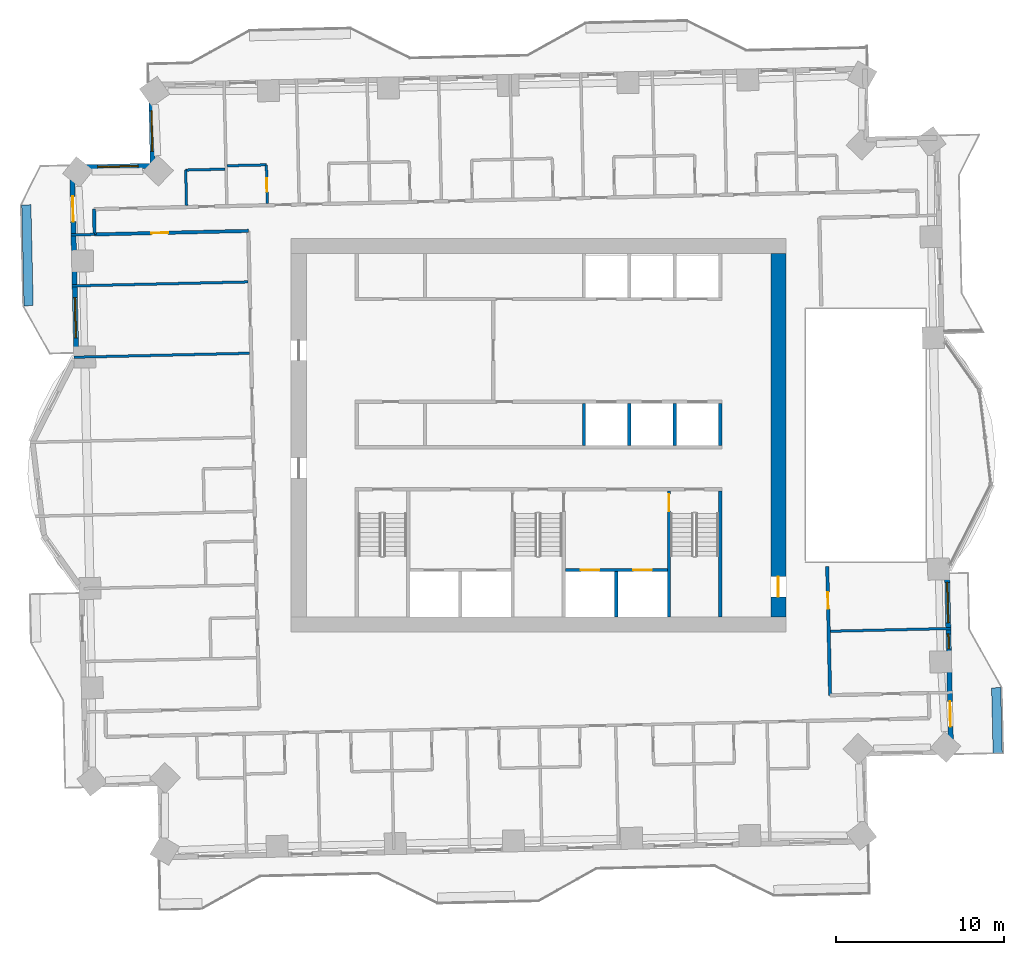
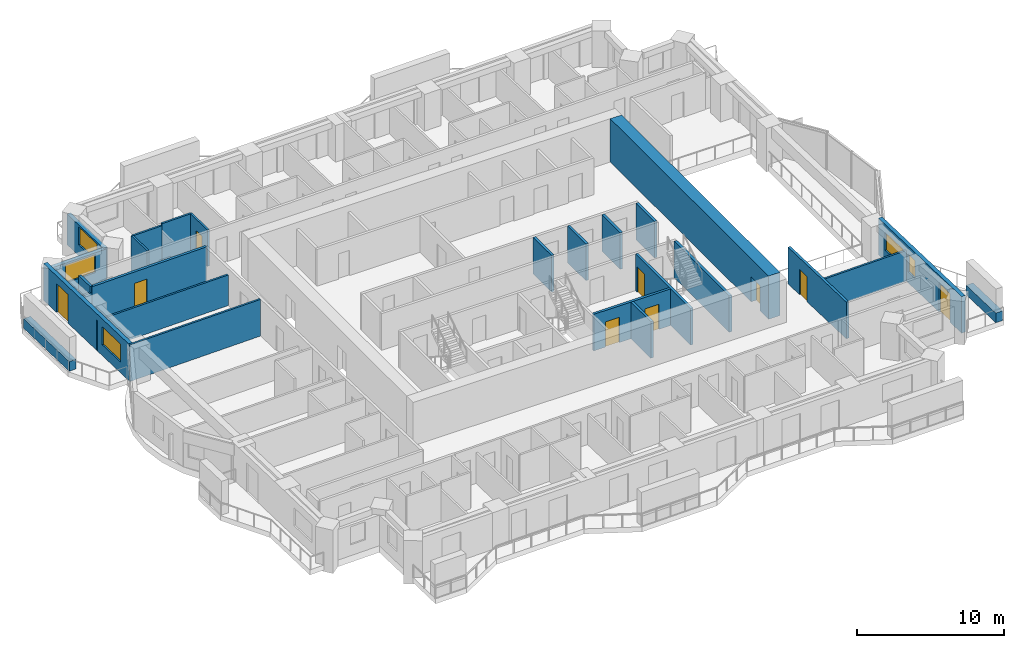
# One storey, part 9 of 16: 26 walls, 9 doors, 5 windows, 14 openings.
"""IFC4 building model written with IfcOpenShell, lengths in metres."""

from ifc_helpers import new_model, si_unit, direction, frame, frame_2d, origin, place, context, subcontext, project, spatial, rectangle, extrude, material, layer, layer_set, type_object, element, fill, save


model = new_model("IFC4")

# Units and contexts
model_context = context("Model", 3, precision=1e-05, world=origin(), true_north=direction((0.0, 1.0)))
body_context = subcontext(model_context, "Body", "Model", "MODEL_VIEW")
ifc_project = project(units=[si_unit("LENGTHUNIT", "METRE"), si_unit("AREAUNIT", "SQUARE_METRE"), si_unit("VOLUMEUNIT", "CUBIC_METRE"), si_unit("PLANEANGLEUNIT", "RADIAN"), si_unit("MASSUNIT", "GRAM", prefix="KILO")], contexts=[model_context])

# Site, building, storey
site_placement = place(None, origin())
site = spatial("IfcSite", under=ifc_project, at=site_placement, CompositionType="ELEMENT")
building_placement = place(site_placement, origin())
building = spatial("IfcBuilding", under=site, at=building_placement, Name="Mangrove Gate Tower", CompositionType="ELEMENT")
storey_placement = place(building_placement, frame((0.0, 0.0, 140.89990234375)))
storey = spatial("IfcBuildingStorey", under=building, at=storey_placement, Name="L35", CompositionType="ELEMENT", Elevation=140.89990234375)

# Wall, openings, doors
ifc_material_1 = material(Name="Concrete C70/85", Category="concrete")
ifc_layer_1 = layer(ifc_material_1, 0.199951171875)
ifc_layer_set_1 = layer_set([ifc_layer_1], Name="Core shaft wall 200 C70/85")
wall_type_1 = type_object("IfcWallType", Name="Core shaft wall 200 C70/85", PredefinedType="SHEAR", material=ifc_layer_set_1)
wall_1_placement = place(storey_placement, frame((1.60009765625, -8.0, 0.0), z_axis=(0.0, 0.0, 1.0), x_axis=(1.0, 0.0, 0.0)))
wall_1 = element("IfcWall", 1, at=wall_1_placement, inside=storey, type_object=wall_type_1, Name="WALL-L35-CORE-17", PredefinedType="SHEAR", context=body_context, shape_type="SweptSolid", body=[
    extrude(rectangle(XDim=6.0498046875, YDim=0.199951171875, at=frame_2d((3.02490234375, 0.0))), origin(), (0.0, 0.0, 1.0), 3.050048828125),
])
opening_1_placement = place(wall_1_placement, frame((0.91259765625, 0.0, 0.0)))
opening_1 = element("IfcOpeningElement", 2, at=opening_1_placement, cuts=wall_1, Name="Opening LD", PredefinedType="OPENING", context=body_context, shape_type="SweptSolid", body=[
    extrude(rectangle(XDim=1.10009765625, YDim=2.10009765625, at=frame_2d((0.550048828125, 1.050048828125))), frame((0.0, 0.10986328125, 0.0), z_axis=(0.0, -1.0, 0.0), x_axis=(1.0, 0.0, 0.0)), (0.0, 0.0, 1.0), 0.219970703125),
])
opening_2_placement = place(wall_1_placement, frame((4.03759765625, 0.0, 0.0)))
opening_2 = element("IfcOpeningElement", 3, at=opening_2_placement, cuts=wall_1, Name="Opening LD", PredefinedType="OPENING", context=body_context, shape_type="SweptSolid", body=[
    extrude(rectangle(XDim=1.10009765625, YDim=2.10009765625, at=frame_2d((0.550048828125, 1.050048828125))), frame((0.0, 0.10986328125, 0.0), z_axis=(0.0, -1.0, 0.0), x_axis=(1.0, 0.0, 0.0)), (0.0, 0.0, 1.0), 0.219970703125),
])
ifc_material_2 = material(Name="Stainless steel 316", Category="steel")
door_type_1 = type_object("IfcDoorType", Name="Lift landing door 1100x2100", OperationType="SLIDING_TO_LEFT", PredefinedType="DOOR", material=ifc_material_2)
door_1_placement = place(opening_1_placement, origin())
door_1 = element("IfcDoor", 4, at=door_1_placement, inside=storey, type_object=door_type_1, Name="Landing door LD FFL1", OperationType="SLIDING_TO_LEFT", OverallHeight=2.10009765625, OverallWidth=1.10009765625, PredefinedType="DOOR", context=body_context, shape_type="SweptSolid", body=[
    extrude(rectangle(XDim=1.10009765625, YDim=2.10009765625, at=frame_2d((0.550048828125, 1.050048828125))), frame((0.0, 0.02490234375, 0.0), z_axis=(0.0, -1.0, 0.0), x_axis=(1.0, 0.0, 0.0)), (0.0, 0.0, 1.0), 0.050048828125),
])
fill(opening_1, door_1)
door_2_placement = place(opening_2_placement, origin())
door_2 = element("IfcDoor", 5, at=door_2_placement, inside=storey, type_object=door_type_1, Name="Landing door LD FFL2", OperationType="SLIDING_TO_LEFT", OverallHeight=2.10009765625, OverallWidth=1.10009765625, PredefinedType="DOOR", context=body_context, shape_type="SweptSolid", body=[
    extrude(rectangle(XDim=1.10009765625, YDim=2.10009765625, at=frame_2d((0.550048828125, 1.050048828125))), frame((0.0, 0.02490234375, 0.0), z_axis=(0.0, -1.0, 0.0), x_axis=(1.0, 0.0, 0.0)), (0.0, 0.0, 1.0), 0.050048828125),
])
fill(opening_2, door_2)

# Walls
wall_2_placement = place(storey_placement, frame((4.625, -10.800048828125, 0.0), z_axis=(0.0, 0.0, 1.0), x_axis=(0.0, 1.0, 0.0)))
element("IfcWall", 6, at=wall_2_placement, inside=storey, type_object=wall_type_1, Name="WALL-L35-CORE-18", PredefinedType="SHEAR", context=body_context, shape_type="SweptSolid", body=[
    extrude(rectangle(XDim=2.699951171875, YDim=0.199951171875, at=frame_2d((1.35009765625, 0.0))), origin(), (0.0, 0.0, 1.0), 3.050048828125),
])
for number, where, z_axis, x_axis, name in (
    (7, (2.699951171875, -0.60009765625, 0.0), (0.0, 0.0, 1.0), (0.0, 1.0, 0.0), "WALL-L35-CORE-21"),
    (8, (5.39990234375, -0.60009765625, 0.0), (0.0, 0.0, 1.0), (0.0, 1.0, 0.0), "WALL-L35-CORE-22"),
    (9, (8.10009765625, -0.60009765625, 0.0), (0.0, 0.0, 1.0), (0.0, 1.0, 0.0), "WALL-L35-CORE-23"),
    (10, (10.800048828125, -0.60009765625, 0.0), (0.0, 0.0, 1.0), (0.0, 1.0, 0.0), "WALL-L35-CORE-24"),
):
    element("IfcWall", number, at=place(storey_placement, frame(where, z_axis=z_axis, x_axis=x_axis)), inside=storey, type_object=wall_type_1, Name=name, PredefinedType="SHEAR", context=body_context, shape_type="SweptSolid", body=[
        extrude(rectangle(XDim=2.5, YDim=0.199951171875, at=frame_2d((1.25, 0.0))), origin(), (0.0, 0.0, 1.0), 3.050048828125),
    ])

# Wall, opening, door
ifc_material_3 = material(Name="Concrete C70/85", Category="concrete")
ifc_layer_2 = layer(ifc_material_3, 0.199951171875)
ifc_layer_set_2 = layer_set([ifc_layer_2], Name="Core stair wall 200 C70/85")
wall_type_2 = type_object("IfcWallType", Name="Core stair wall 200 C70/85", PredefinedType="SHEAR", material=ifc_layer_set_2)
wall_3_placement = place(storey_placement, frame((7.75, -10.800048828125, 0.0), z_axis=(0.0, 0.0, 1.0), x_axis=(0.0, 1.0, 0.0)))
wall_3 = element("IfcWall", 11, at=wall_3_placement, inside=storey, type_object=wall_type_2, Name="WALL-L35-CORE-13", PredefinedType="SHEAR", context=body_context, shape_type="SweptSolid", body=[
    extrude(rectangle(XDim=7.5, YDim=0.199951171875, at=frame_2d((3.75, 0.0))), origin(), (0.0, 0.0, 1.0), 3.050048828125),
])
opening_3_placement = place(wall_3_placement, frame((6.300048828125, 0.0, 0.0)))
opening_3 = element("IfcOpeningElement", 12, at=opening_3_placement, cuts=wall_3, Name="Opening STD10", PredefinedType="OPENING", context=body_context, shape_type="SweptSolid", body=[
    extrude(rectangle(XDim=1.0, YDim=2.10009765625, at=frame_2d((0.5, 1.050048828125))), frame((0.0, 0.10986328125, 0.0), z_axis=(0.0, -1.0, 0.0), x_axis=(1.0, 0.0, 0.0)), (0.0, 0.0, 1.0), 0.219970703125),
])
ifc_material_4 = material(Name="Fire-rated steel door set", Category="steel")
door_type_2 = type_object("IfcDoorType", Name="Stair door FD60 1000x2100", OperationType="SINGLE_SWING_RIGHT", PredefinedType="DOOR", material=ifc_material_4)
door_3_placement = place(opening_3_placement, origin())
door_3 = element("IfcDoor", 13, at=door_3_placement, inside=storey, type_object=door_type_2, Name="Stair door Stair 3 from fire-fighting lobby", OperationType="SINGLE_SWING_RIGHT", OverallHeight=2.10009765625, OverallWidth=1.0, PredefinedType="DOOR", context=body_context, shape_type="SweptSolid", body=[
    extrude(rectangle(XDim=1.0, YDim=2.10009765625, at=frame_2d((0.5, 1.050048828125))), frame((0.0, 0.02490234375, 0.0), z_axis=(0.0, -1.0, 0.0), x_axis=(1.0, 0.0, 0.0)), (0.0, 0.0, 1.0), 0.050048828125),
])
fill(opening_3, door_3)

# Wall
wall_4_placement = place(storey_placement, frame((10.800048828125, -10.800048828125, 0.0), z_axis=(0.0, 0.0, 1.0), x_axis=(0.0, 1.0, 0.0)))
element("IfcWall", 14, at=wall_4_placement, inside=storey, type_object=wall_type_2, Name="WALL-L35-CORE-14", PredefinedType="SHEAR", context=body_context, shape_type="SweptSolid", body=[
    extrude(rectangle(XDim=7.5, YDim=0.199951171875, at=frame_2d((3.75, 0.0))), origin(), (0.0, 0.0, 1.0), 3.050048828125),
])

# Wall, opening, door
ifc_material_5 = material(Name="Concrete C70/85", Category="concrete")
ifc_layer_3 = layer(ifc_material_5, 0.89990234375)
ifc_layer_set_3 = layer_set([ifc_layer_3], Name="Core wall 900 C70/85")
wall_type_3 = type_object("IfcWallType", Name="Core wall 900 C70/85", PredefinedType="SHEAR", material=ifc_layer_set_3)
wall_5_placement = place(storey_placement, frame((14.25, -10.800048828125, 0.0), z_axis=(0.0, 0.0, 1.0), x_axis=(0.0, 1.0, 0.0)))
wall_5 = element("IfcWall", 15, at=wall_5_placement, inside=storey, type_object=wall_type_3, Name="WALL-L35-CORE-4", PredefinedType="SHEAR", context=body_context, shape_type="SweptSolid", body=[
    extrude(rectangle(XDim=21.60009765625, YDim=0.89990234375, at=frame_2d((10.800048828125, 0.0))), origin(), (0.0, 0.0, 1.0), 3.60009765625),
])
opening_4_placement = place(wall_5_placement, frame((1.199951171875, 0.0, 0.0)))
opening_4 = element("IfcOpeningElement", 16, at=opening_4_placement, cuts=wall_5, Name="Opening CD", PredefinedType="OPENING", context=body_context, shape_type="SweptSolid", body=[
    extrude(rectangle(XDim=1.199951171875, YDim=2.10009765625, at=frame_2d((0.60009765625, 1.050048828125))), frame((0.0, 0.4599609375, 0.0), z_axis=(0.0, -1.0, 0.0), x_axis=(1.0, 0.0, 0.0)), (0.0, 0.0, 1.0), 0.919921875),
])
ifc_material_6 = material(Name="Fire-rated steel door set", Category="steel")
door_type_3 = type_object("IfcDoorType", Name="Core ring door FD60 1200x2100", OperationType="DOUBLE_DOOR_SINGLE_SWING", PredefinedType="DOOR", material=ifc_material_6)
door_4_placement = place(opening_4_placement, origin())
door_4 = element("IfcDoor", 17, at=door_4_placement, inside=storey, type_object=door_type_3, Name="Core ring door E1", OperationType="DOUBLE_DOOR_SINGLE_SWING", OverallHeight=2.10009765625, OverallWidth=1.199951171875, PredefinedType="DOOR", context=body_context, shape_type="SweptSolid", body=[
    extrude(rectangle(XDim=1.199951171875, YDim=2.10009765625, at=frame_2d((0.60009765625, 1.050048828125))), frame((0.0, 0.02490234375, 0.0), z_axis=(0.0, -1.0, 0.0), x_axis=(1.0, 0.0, 0.0)), (0.0, 0.0, 1.0), 0.050048828125),
])
fill(opening_4, door_4)

ifc_material_7 = material(Name="Gypsum board on steel stud, EI 60", Category="steel")
ifc_layer_4 = layer(ifc_material_7, 0.199951171875)
ifc_layer_set_4 = layer_set([ifc_layer_4], Name="Corridor wall EI 60")
wall_type_4 = type_object("IfcWallType", Name="Corridor wall EI 60", PredefinedType="PARTITIONING", material=ifc_layer_set_4)
wall_6_placement = place(storey_placement, frame((17.327880859375, -15.447998046875, 0.0), z_axis=(0.0, 0.0, 1.0), x_axis=(-0.022680883318, 0.999742755679, 0.0)))
wall_6 = element("IfcWall", 18, at=wall_6_placement, inside=storey, type_object=wall_type_4, Name="WALL-L35-030", PredefinedType="PARTITIONING", context=body_context, shape_type="SweptSolid", body=[
    extrude(rectangle(XDim=7.6640625, YDim=0.199951171875, at=frame_2d((3.83203125, 0.0))), origin(), (0.0, 0.0, 1.0), 3.050048828125),
])
opening_5_placement = place(wall_6_placement, frame((5.1298828125, 0.0, 0.0)))
opening_5 = element("IfcOpeningElement", 19, at=opening_5_placement, cuts=wall_6, Name="Opening AD", PredefinedType="OPENING", context=body_context, shape_type="SweptSolid", body=[
    extrude(rectangle(XDim=1.0, YDim=2.10009765625, at=frame_2d((0.5, 1.050048828125))), frame((0.0, 0.10986328125, 0.0), z_axis=(0.0, -1.0, 0.0), x_axis=(1.0, 0.0, 0.0)), (0.0, 0.0, 1.0), 0.219970703125),
])
ifc_material_8 = material(Name="Timber door leaf", Category="wood")
door_type_4 = type_object("IfcDoorType", Name="Amenity door 1000", OperationType="SINGLE_SWING_LEFT", PredefinedType="DOOR", material=ifc_material_8)
door_5_placement = place(opening_5_placement, origin())
door_5 = element("IfcDoor", 20, at=door_5_placement, inside=storey, type_object=door_type_4, Name="DOOR-L35-KIT-c3b", OperationType="SINGLE_SWING_RIGHT", OverallHeight=2.10009765625, OverallWidth=1.0, PredefinedType="DOOR", context=body_context, shape_type="SweptSolid", body=[
    extrude(rectangle(XDim=1.0, YDim=2.10009765625, at=frame_2d((0.5, 1.050048828125))), frame((0.0, 0.02490234375, 0.0), z_axis=(0.0, -1.0, 0.0), x_axis=(1.0, 0.0, 0.0)), (0.0, 0.0, 1.0), 0.050048828125),
])
fill(opening_5, door_5)

wall_7_placement = place(storey_placement, frame((-26.386962890625, 11.94091796875, 0.0), z_axis=(0.0, 0.0, 1.0), x_axis=(0.999741076645, 0.022754772455, 0.0)))
wall_7 = element("IfcWall", 21, at=wall_7_placement, inside=storey, type_object=wall_type_4, Name="WALL-L35-050", PredefinedType="PARTITIONING", context=body_context, shape_type="SweptSolid", body=[
    extrude(rectangle(XDim=9.141357421875, YDim=0.199951171875, at=frame_2d((4.57080078125, 0.0))), origin(), (0.0, 0.0, 1.0), 3.050048828125),
])
opening_6_placement = place(wall_7_placement, frame((3.37109375, 0.0, 0.0)))
opening_6 = element("IfcOpeningElement", 22, at=opening_6_placement, cuts=wall_7, Name="Opening AD", PredefinedType="OPENING", context=body_context, shape_type="SweptSolid", body=[
    extrude(rectangle(XDim=1.0, YDim=2.10009765625, at=frame_2d((0.5, 1.050048828125))), frame((0.0, 0.10986328125, 0.0), z_axis=(0.0, -1.0, 0.0), x_axis=(1.0, 0.0, 0.0)), (0.0, 0.0, 1.0), 0.219970703125),
])
door_6_placement = place(opening_6_placement, origin())
door_6 = element("IfcDoor", 23, at=door_6_placement, inside=storey, type_object=door_type_4, Name="DOOR-L35-STU-c5a", OperationType="SINGLE_SWING_RIGHT", OverallHeight=2.10009765625, OverallWidth=1.0, PredefinedType="DOOR", context=body_context, shape_type="SweptSolid", body=[
    extrude(rectangle(XDim=1.0, YDim=2.10009765625, at=frame_2d((0.5, 1.050048828125))), frame((0.0, 0.02490234375, 0.0), z_axis=(0.0, -1.0, 0.0), x_axis=(1.0, 0.0, 0.0)), (0.0, 0.0, 1.0), 0.050048828125),
])
fill(opening_6, door_6)

# Wall
wall_8_placement = place(storey_placement, frame((-26.385009765625, 11.94091796875, 0.0), z_axis=(0.0, 0.0, 1.0), x_axis=(-0.022617910375, 0.999744182344, 0.0)))
element("IfcWall", 24, at=wall_8_placement, inside=storey, type_object=wall_type_4, Name="WALL-L35-051", PredefinedType="PARTITIONING", context=body_context, shape_type="SweptSolid", body=[
    extrude(rectangle(XDim=1.50048828125, YDim=0.199951171875, at=frame_2d((0.750244140625, 0.0))), origin(), (0.0, 0.0, 1.0), 3.050048828125),
])

# Wall, openings, door, windows
ifc_material_9 = material(Name="Limestone", Category="masonry")
ifc_layer_5 = layer(ifc_material_9, 0.0400390625, Name="Limestone cladding")
ifc_material_10 = material(Name="Ventilated air gap")
ifc_layer_6 = layer(ifc_material_10, 0.0400390625, Name="Ventilated cavity")
ifc_material_11 = material(Name="Mineral wool insulation")
ifc_layer_7 = layer(ifc_material_11, 0.06005859375, Name="Insulation")
ifc_material_12 = material(Name="Breather membrane")
ifc_layer_8 = layer(ifc_material_12, 0.001953125, Name="Breather membrane")
ifc_material_13 = material(Name="Concrete C20/25 blockwork", Category="masonry")
ifc_layer_9 = layer(ifc_material_13, 0.14990234375, Name="Blockwork backing wall")
ifc_material_14 = material(Name="Gypsum plaster")
ifc_layer_10 = layer(ifc_material_14, 0.008056640625, Name="Internal plaster")
ifc_layer_set_5 = layer_set([ifc_layer_5, ifc_layer_6, ifc_layer_7, ifc_layer_8, ifc_layer_9, ifc_layer_10], Name="External wall 300 limestone cladding")
wall_type_5 = type_object("IfcWallType", Name="External wall 300 limestone cladding", PredefinedType="SOLIDWALL", material=ifc_layer_set_5)
wall_9_placement = place(storey_placement, frame((24.51806640625, -18.81201171875, 0.0), z_axis=(0.0, 0.0, 1.0), x_axis=(-0.02269451316, 0.999742446369, 0.0)))
wall_9 = element("IfcWall", 25, at=wall_9_placement, inside=storey, type_object=wall_type_5, Name="WALL-L35-E0", PredefinedType="SOLIDWALL", context=body_context, shape_type="SweptSolid", body=[
    extrude(rectangle(XDim=10.929931640625, YDim=0.300048828125, at=frame_2d((5.46484375, 0.0))), origin(), (0.0, 0.0, 1.0), 3.050048828125),
])
opening_7_placement = place(wall_9_placement, frame((1.49609375, 0.0, 0.0)))
opening_7 = element("IfcOpeningElement", 26, at=opening_7_placement, cuts=wall_9, Name="Opening BD1", PredefinedType="OPENING", context=body_context, shape_type="SweptSolid", body=[
    extrude(rectangle(XDim=1.5, YDim=2.39990234375, at=frame_2d((0.75, 1.199951171875))), frame((0.0, 0.159912109375, 0.0), z_axis=(0.0, -1.0, 0.0), x_axis=(1.0, 0.0, 0.0)), (0.0, 0.0, 1.0), 0.320068359375),
])
opening_8_placement = place(wall_9_placement, frame((6.118896484375, 0.0, 0.89990234375)))
opening_8 = element("IfcOpeningElement", 27, at=opening_8_placement, cuts=wall_9, Name="Opening W5", PredefinedType="OPENING", context=body_context, shape_type="SweptSolid", body=[
    extrude(rectangle(XDim=0.89990234375, YDim=1.5, at=frame_2d((0.449951171875, 0.75))), frame((0.0, 0.159912109375, 0.0), z_axis=(0.0, -1.0, 0.0), x_axis=(1.0, 0.0, 0.0)), (0.0, 0.0, 1.0), 0.320068359375),
])
opening_9_placement = place(wall_9_placement, frame((7.675048828125, 0.0, 0.89990234375)))
opening_9 = element("IfcOpeningElement", 28, at=opening_9_placement, cuts=wall_9, Name="Opening W2", PredefinedType="OPENING", context=body_context, shape_type="SweptSolid", body=[
    extrude(rectangle(XDim=2.39990234375, YDim=1.5, at=frame_2d((1.199951171875, 0.75))), frame((0.0, 0.159912109375, 0.0), z_axis=(0.0, -1.0, 0.0), x_axis=(1.0, 0.0, 0.0)), (0.0, 0.0, 1.0), 0.320068359375),
])
ifc_material_15 = material(Name="Aluminium frame with laminated clear glass", Category="aluminium")
door_type_5 = type_object("IfcDoorType", Name="Balcony sliding door 1500x2400", OperationType="SLIDING_TO_LEFT", PredefinedType="DOOR", material=ifc_material_15)
door_7_placement = place(opening_7_placement, origin())
door_7 = element("IfcDoor", 29, at=door_7_placement, inside=storey, type_object=door_type_5, Name="DOOR-L35-E0-1", OperationType="SLIDING_TO_LEFT", OverallHeight=2.39990234375, OverallWidth=1.5, PredefinedType="DOOR", context=body_context, shape_type="SweptSolid", body=[
    extrude(rectangle(XDim=1.5, YDim=2.39990234375, at=frame_2d((0.75, 1.199951171875))), frame((0.0, 0.02490234375, 0.0), z_axis=(0.0, -1.0, 0.0), x_axis=(1.0, 0.0, 0.0)), (0.0, 0.0, 1.0), 0.050048828125),
])
fill(opening_7, door_7)
ifc_material_16 = material(Name="Aluminium frame with double-glazed low-e glass", Category="aluminium")
window_type_1 = type_object("IfcWindowType", Name="Corner room window 2400x1500", PartitioningType="DOUBLE_PANEL_VERTICAL", PredefinedType="WINDOW", material=ifc_material_16)
window_1_placement = place(opening_9_placement, origin())
window_1 = element("IfcWindow", 30, at=window_1_placement, inside=storey, type_object=window_type_1, Name="WIN-L35-E0-3", OverallHeight=1.5, OverallWidth=2.39990234375, PartitioningType="DOUBLE_PANEL_VERTICAL", PredefinedType="WINDOW", context=body_context, shape_type="SweptSolid", body=[
    extrude(rectangle(XDim=2.39990234375, YDim=1.5, at=frame_2d((1.199951171875, 0.75))), frame((0.0, 0.030029296875, 0.0), z_axis=(0.0, -1.0, 0.0), x_axis=(1.0, 0.0, 0.0)), (0.0, 0.0, 1.0), 0.06005859375),
])
fill(opening_9, window_1)
ifc_material_17 = material(Name="Aluminium frame with double-glazed low-e glass", Category="aluminium")
window_type_2 = type_object("IfcWindowType", Name="Narrow window 900x1500", PartitioningType="SINGLE_PANEL", PredefinedType="WINDOW", material=ifc_material_17)
window_2_placement = place(opening_8_placement, origin())
window_2 = element("IfcWindow", 31, at=window_2_placement, inside=storey, type_object=window_type_2, Name="WIN-L35-E0-2", OverallHeight=1.5, OverallWidth=0.89990234375, PartitioningType="SINGLE_PANEL", PredefinedType="WINDOW", context=body_context, shape_type="SweptSolid", body=[
    extrude(rectangle(XDim=0.89990234375, YDim=1.5, at=frame_2d((0.449951171875, 0.75))), frame((0.0, 0.030029296875, 0.0), z_axis=(0.0, -1.0, 0.0), x_axis=(1.0, 0.0, 0.0)), (0.0, 0.0, 1.0), 0.06005859375),
])
fill(opening_8, window_2)

# Wall, opening, window
wall_10_placement = place(storey_placement, frame((-23.037109375, 20.819091796875, 0.0), z_axis=(0.0, 0.0, 1.0), x_axis=(0.022738738327, -0.999741441463, 0.0)))
wall_10 = element("IfcWall", 32, at=wall_10_placement, inside=storey, type_object=wall_type_5, Name="WALL-L35-W6", PredefinedType="SOLIDWALL", context=body_context, shape_type="SweptSolid", body=[
    extrude(rectangle(XDim=4.79931640625, YDim=0.300048828125, at=frame_2d((2.399658203125, 0.0))), origin(), (0.0, 0.0, 1.0), 2.550048828125),
])
opening_10_placement = place(wall_10_placement, frame((1.541015625, 0.0, 0.89990234375)))
opening_10 = element("IfcOpeningElement", 33, at=opening_10_placement, cuts=wall_10, Name="Opening W2", PredefinedType="OPENING", context=body_context, shape_type="SweptSolid", body=[
    extrude(rectangle(XDim=2.39990234375, YDim=1.5, at=frame_2d((1.199951171875, 0.75))), frame((0.0, 0.159912109375, 0.0), z_axis=(0.0, -1.0, 0.0), x_axis=(1.0, 0.0, 0.0)), (0.0, 0.0, 1.0), 0.320068359375),
])
window_3_placement = place(opening_10_placement, origin())
window_3 = element("IfcWindow", 34, at=window_3_placement, inside=storey, type_object=window_type_1, Name="WIN-L35-W6-1", OverallHeight=1.5, OverallWidth=2.39990234375, PartitioningType="DOUBLE_PANEL_VERTICAL", PredefinedType="WINDOW", context=body_context, shape_type="SweptSolid", body=[
    extrude(rectangle(XDim=2.39990234375, YDim=1.5, at=frame_2d((1.199951171875, 0.75))), frame((0.0, 0.030029296875, 0.0), z_axis=(0.0, -1.0, 0.0), x_axis=(1.0, 0.0, 0.0)), (0.0, 0.0, 1.0), 0.06005859375),
])
fill(opening_10, window_3)

wall_11_placement = place(storey_placement, frame((-22.927978515625, 16.02099609375, 0.0), z_axis=(0.0, 0.0, 1.0), x_axis=(-0.999742701292, -0.022683280499, 0.0)))
wall_11 = element("IfcWall", 35, at=wall_11_placement, inside=storey, type_object=wall_type_5, Name="WALL-L35-N7", PredefinedType="SOLIDWALL", context=body_context, shape_type="SweptSolid", body=[
    extrude(rectangle(XDim=4.80029296875, YDim=0.300048828125, at=frame_2d((2.400146484375, 0.0))), origin(), (0.0, 0.0, 1.0), 2.550048828125),
])
opening_11_placement = place(wall_11_placement, frame((0.873046875, 0.0, 0.89990234375)))
opening_11 = element("IfcOpeningElement", 36, at=opening_11_placement, cuts=wall_11, Name="Opening W2", PredefinedType="OPENING", context=body_context, shape_type="SweptSolid", body=[
    extrude(rectangle(XDim=2.39990234375, YDim=1.5, at=frame_2d((1.199951171875, 0.75))), frame((0.0, 0.159912109375, 0.0), z_axis=(0.0, -1.0, 0.0), x_axis=(1.0, 0.0, 0.0)), (0.0, 0.0, 1.0), 0.320068359375),
])
window_4_placement = place(opening_11_placement, origin())
window_4 = element("IfcWindow", 37, at=window_4_placement, inside=storey, type_object=window_type_1, Name="WIN-L35-N7-1", OverallHeight=1.5, OverallWidth=2.39990234375, PartitioningType="DOUBLE_PANEL_VERTICAL", PredefinedType="WINDOW", context=body_context, shape_type="SweptSolid", body=[
    extrude(rectangle(XDim=2.39990234375, YDim=1.5, at=frame_2d((1.199951171875, 0.75))), frame((0.0, 0.030029296875, 0.0), z_axis=(0.0, -1.0, 0.0), x_axis=(1.0, 0.0, 0.0)), (0.0, 0.0, 1.0), 0.06005859375),
])
fill(opening_11, window_4)

# Wall, openings, door, window
wall_12_placement = place(storey_placement, frame((-27.72705078125, 15.912109375, 0.0), z_axis=(0.0, 0.0, 1.0), x_axis=(0.022690078929, -0.999742547018, 0.0)))
wall_12 = element("IfcWall", 38, at=wall_12_placement, inside=storey, type_object=wall_type_5, Name="WALL-L35-W8", PredefinedType="SOLIDWALL", context=body_context, shape_type="SweptSolid", body=[
    extrude(rectangle(XDim=11.330078125, YDim=0.300048828125, at=frame_2d((5.6650390625, 0.0))), origin(), (0.0, 0.0, 1.0), 3.050048828125),
])
opening_12_placement = place(wall_12_placement, frame((1.717041015625, 0.0, 0.0)))
opening_12 = element("IfcOpeningElement", 39, at=opening_12_placement, cuts=wall_12, Name="Opening BD1", PredefinedType="OPENING", context=body_context, shape_type="SweptSolid", body=[
    extrude(rectangle(XDim=1.5, YDim=2.39990234375, at=frame_2d((0.75, 1.199951171875))), frame((0.0, 0.159912109375, 0.0), z_axis=(0.0, -1.0, 0.0), x_axis=(1.0, 0.0, 0.0)), (0.0, 0.0, 1.0), 0.320068359375),
])
opening_13_placement = place(wall_12_placement, frame((7.72509765625, 0.0, 0.89990234375)))
opening_13 = element("IfcOpeningElement", 40, at=opening_13_placement, cuts=wall_12, Name="Opening W2", PredefinedType="OPENING", context=body_context, shape_type="SweptSolid", body=[
    extrude(rectangle(XDim=2.39990234375, YDim=1.5, at=frame_2d((1.199951171875, 0.75))), frame((0.0, 0.159912109375, 0.0), z_axis=(0.0, -1.0, 0.0), x_axis=(1.0, 0.0, 0.0)), (0.0, 0.0, 1.0), 0.320068359375),
])
door_8_placement = place(opening_12_placement, origin())
door_8 = element("IfcDoor", 41, at=door_8_placement, inside=storey, type_object=door_type_5, Name="DOOR-L35-W8-1", OperationType="SLIDING_TO_LEFT", OverallHeight=2.39990234375, OverallWidth=1.5, PredefinedType="DOOR", context=body_context, shape_type="SweptSolid", body=[
    extrude(rectangle(XDim=1.5, YDim=2.39990234375, at=frame_2d((0.75, 1.199951171875))), frame((0.0, 0.02490234375, 0.0), z_axis=(0.0, -1.0, 0.0), x_axis=(1.0, 0.0, 0.0)), (0.0, 0.0, 1.0), 0.050048828125),
])
fill(opening_12, door_8)
window_5_placement = place(opening_13_placement, origin())
window_5 = element("IfcWindow", 42, at=window_5_placement, inside=storey, type_object=window_type_1, Name="WIN-L35-W8-2", OverallHeight=1.5, OverallWidth=2.39990234375, PartitioningType="DOUBLE_PANEL_VERTICAL", PredefinedType="WINDOW", context=body_context, shape_type="SweptSolid", body=[
    extrude(rectangle(XDim=2.39990234375, YDim=1.5, at=frame_2d((1.199951171875, 0.75))), frame((0.0, 0.030029296875, 0.0), z_axis=(0.0, -1.0, 0.0), x_axis=(1.0, 0.0, 0.0)), (0.0, 0.0, 1.0), 0.06005859375),
])
fill(opening_13, window_5)

# Walls
ifc_material_18 = material(Name="Gypsum board on steel stud, EI 60", Category="steel")
ifc_layer_11 = layer(ifc_material_18, 0.14990234375)
ifc_layer_set_6 = layer_set([ifc_layer_11], Name="Party wall 150 EI 60")
wall_type_6 = type_object("IfcWallType", Name="Party wall 150 EI 60", PredefinedType="PARTITIONING", material=ifc_layer_set_6)
wall_13_placement = place(storey_placement, frame((17.3369140625, -11.64306640625, 0.0), z_axis=(0.0, 0.0, 1.0), x_axis=(0.999741061159, 0.022755452803, 0.0)))
element("IfcWall", 43, at=wall_13_placement, inside=storey, type_object=wall_type_6, Name="WALL-L35-037", PredefinedType="PARTITIONING", context=body_context, shape_type="SweptSolid", body=[
    extrude(rectangle(XDim=7.1669921875, YDim=0.14990234375, at=frame_2d((3.58349609375, 0.0))), origin(), (0.0, 0.0, 1.0), 2.550048828125),
])
wall_14_placement = place(storey_placement, frame((-27.62109375, 4.64111328125, 0.0), z_axis=(0.0, 0.0, 1.0), x_axis=(0.999742728106, 0.022682098664, 0.0)))
element("IfcWall", 44, at=wall_14_placement, inside=storey, type_object=wall_type_6, Name="WALL-L35-046", PredefinedType="PARTITIONING", context=body_context, shape_type="SweptSolid", body=[
    extrude(rectangle(XDim=10.440673828125, YDim=0.14990234375, at=frame_2d((5.22021484375, 0.0))), origin(), (0.0, 0.0, 1.0), 3.050048828125),
])
wall_15_placement = place(storey_placement, frame((-27.718017578125, 8.8798828125, 0.0), z_axis=(0.0, 0.0, 1.0), x_axis=(0.999742245794, 0.022703347225, 0.0)))
element("IfcWall", 45, at=wall_15_placement, inside=storey, type_object=wall_type_6, Name="WALL-L35-048", PredefinedType="PARTITIONING", context=body_context, shape_type="SweptSolid", body=[
    extrude(rectangle(XDim=10.441650390625, YDim=0.14990234375, at=frame_2d((5.220703125, 0.0))), origin(), (0.0, 0.0, 1.0), 2.550048828125),
])
wall_16_placement = place(storey_placement, frame((-27.785888671875, 11.908935546875, 0.0), z_axis=(0.0, 0.0, 1.0), x_axis=(0.999740216184, 0.022792545827, 0.0)))
element("IfcWall", 46, at=wall_16_placement, inside=storey, type_object=wall_type_6, Name="WALL-L35-049", PredefinedType="PARTITIONING", context=body_context, shape_type="SweptSolid", body=[
    extrude(rectangle(XDim=1.403076171875, YDim=0.14990234375, at=frame_2d((0.70166015625, 0.0))), origin(), (0.0, 0.0, 1.0), 2.550048828125),
])
wall_17_placement = place(storey_placement, frame((-20.922119140625, 13.666015625, 0.0), z_axis=(0.0, 0.0, 1.0), x_axis=(-0.022792727877, 0.999740212033, 0.0)))
element("IfcWall", 47, at=wall_17_placement, inside=storey, type_object=wall_type_6, Name="WALL-L35-056", PredefinedType="PARTITIONING", context=body_context, shape_type="SweptSolid", body=[
    extrude(rectangle(XDim=2.099365234375, YDim=0.14990234375, at=frame_2d((1.0498046875, 0.0))), origin(), (0.0, 0.0, 1.0), 3.050048828125),
])

# Wall, opening, door
wall_18_placement = place(storey_placement, frame((-16.1240234375, 13.77392578125, 0.0), z_axis=(0.0, 0.0, 1.0), x_axis=(-0.022603288534, 0.999744513037, 0.0)))
wall_18 = element("IfcWall", 48, at=wall_18_placement, inside=storey, type_object=wall_type_6, Name="WALL-L35-058", PredefinedType="PARTITIONING", context=body_context, shape_type="SweptSolid", body=[
    extrude(rectangle(XDim=2.300537109375, YDim=0.14990234375, at=frame_2d((1.150390625, 0.0))), origin(), (0.0, 0.0, 1.0), 3.050048828125),
])
opening_14_placement = place(wall_18_placement, frame((0.699951171875, 0.0, 0.0)))
opening_14 = element("IfcOpeningElement", 49, at=opening_14_placement, cuts=wall_18, Name="Opening ED", PredefinedType="OPENING", context=body_context, shape_type="SweptSolid", body=[
    extrude(rectangle(XDim=0.800048828125, YDim=2.10009765625, at=frame_2d((0.39990234375, 1.050048828125))), frame((0.0, 0.0849609375, 0.0), z_axis=(0.0, -1.0, 0.0), x_axis=(1.0, 0.0, 0.0)), (0.0, 0.0, 1.0), 0.169921875),
])
ifc_material_19 = material(Name="Timber door leaf", Category="wood")
door_type_6 = type_object("IfcDoorType", Name="En-suite door 800", OperationType="SINGLE_SWING_LEFT", PredefinedType="DOOR", material=ifc_material_19)
door_9_placement = place(opening_14_placement, origin())
door_9 = element("IfcDoor", 50, at=door_9_placement, inside=storey, type_object=door_type_6, Name="DOOR-L35-ENS-c515", OperationType="SINGLE_SWING_LEFT", OverallHeight=2.10009765625, OverallWidth=0.800048828125, PredefinedType="DOOR", context=body_context, shape_type="SweptSolid", body=[
    extrude(rectangle(XDim=0.800048828125, YDim=2.10009765625, at=frame_2d((0.39990234375, 1.050048828125))), frame((0.0, 0.02490234375, 0.0), z_axis=(0.0, -1.0, 0.0), x_axis=(1.0, 0.0, 0.0)), (0.0, 0.0, 1.0), 0.050048828125),
])
fill(opening_14, door_9)

# Walls
for number, where, z_axis, x_axis, name in (
    (51, (-20.971923828125, 15.764892578125, 0.0), (0.0, 0.0, 1.0), (0.999737862264, 0.022895561926, 0.0), "WALL-L35-075"),
    (52, (-18.501953125, 16.02099609375, 0.0), (0.0, 0.0, 1.0), (0.999740260747, 0.02279059109, 0.0), "WALL-L35-077"),
):
    element("IfcWall", number, at=place(storey_placement, frame(where, z_axis=z_axis, x_axis=x_axis)), inside=storey, type_object=wall_type_6, Name=name, PredefinedType="PARTITIONING", context=body_context, shape_type="SweptSolid", body=[
        extrude(rectangle(XDim=2.324462890625, YDim=0.14990234375, at=frame_2d((1.162109375, 0.0))), origin(), (0.0, 0.0, 1.0), 3.050048828125),
    ])
ifc_material_20 = material(Name="Concrete C32/40", Category="concrete")
ifc_layer_12 = layer(ifc_material_20, 0.199951171875, Name="Planter trough wall")
ifc_material_21 = material(Name="Bituminous waterproofing membrane")
ifc_layer_13 = layer(ifc_material_21, 0.0048828125, Name="Waterproofing")
ifc_material_22 = material(Name="Drainage board and gravel")
ifc_layer_14 = layer(ifc_material_22, 0.044921875, Name="Drainage layer")
ifc_material_23 = material(Name="Planting soil")
ifc_layer_15 = layer(ifc_material_23, 0.300048828125, Name="Growing medium")
ifc_layer_set_7 = layer_set([ifc_layer_12, ifc_layer_13, ifc_layer_14, ifc_layer_15], Name="Planter wall 550 C32/40")
wall_type_7 = type_object("IfcWallType", Name="Planter wall 550 C32/40", PredefinedType="USERDEFINED", material=ifc_layer_set_7)
wall_19_placement = place(storey_placement, frame((27.285888671875, -18.89892578125, 0.0), z_axis=(0.0, 0.0, 1.0), x_axis=(-0.022786818173, 0.999740346749, 0.0)))
element("IfcWall", 53, at=wall_19_placement, inside=storey, type_object=wall_type_7, Name="PLANTER L35 E0.1", ObjectType="PLANTER", PredefinedType="USERDEFINED", context=body_context, shape_type="SweptSolid", body=[
    extrude(rectangle(XDim=3.89990234375, YDim=0.550048828125, at=frame_2d((1.949951171875, 0.0))), origin(), (0.0, 0.0, 1.0), 0.800048828125),
])
wall_20_placement = place(storey_placement, frame((-30.306884765625, 7.700927734375, 0.0), z_axis=(0.0, 0.0, 1.0), x_axis=(-0.022706615587, 0.999742171567, 0.0)))
element("IfcWall", 54, at=wall_20_placement, inside=storey, type_object=wall_type_7, Name="PLANTER L35 W0.1", ObjectType="PLANTER", PredefinedType="USERDEFINED", context=body_context, shape_type="SweptSolid", body=[
    extrude(rectangle(XDim=5.99951171875, YDim=0.550048828125, at=frame_2d((2.999755859375, 0.0))), origin(), (0.0, 0.0, 1.0), 0.800048828125),
])

save(model, "model.ifc")
